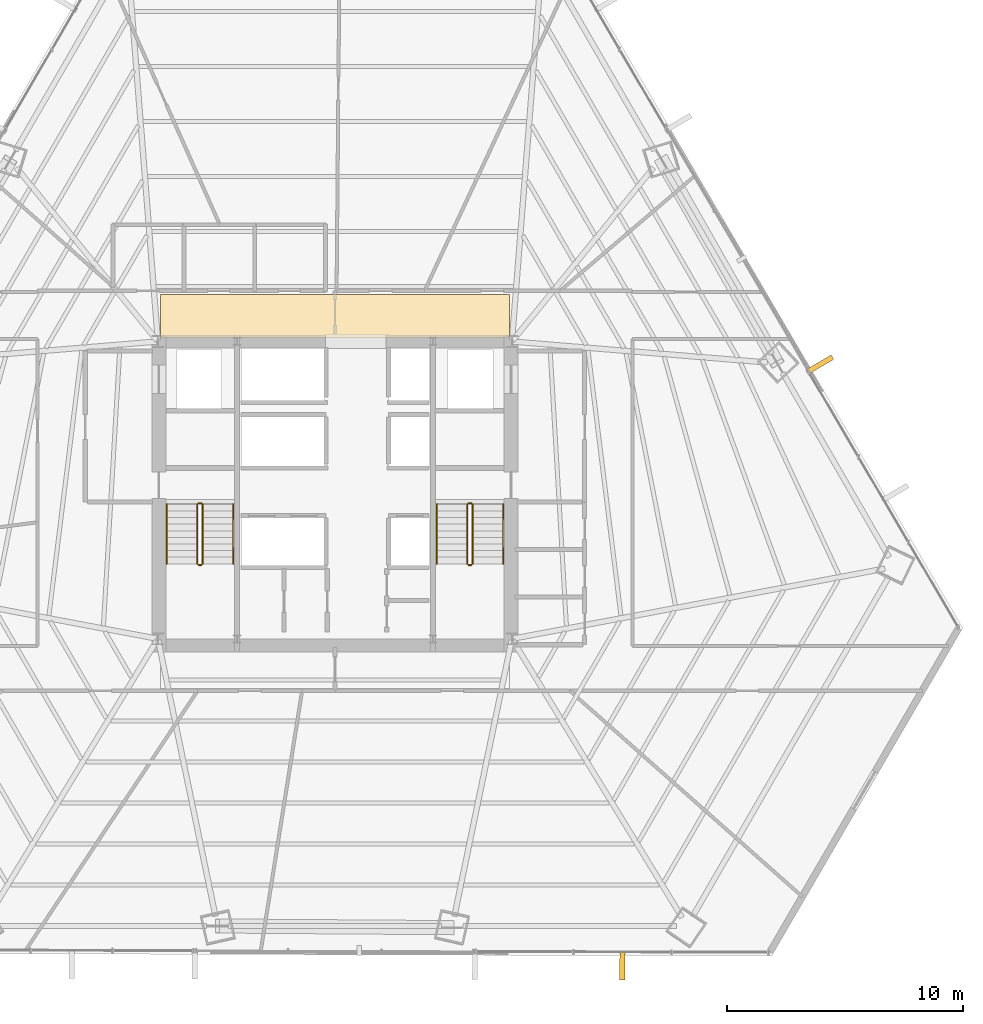
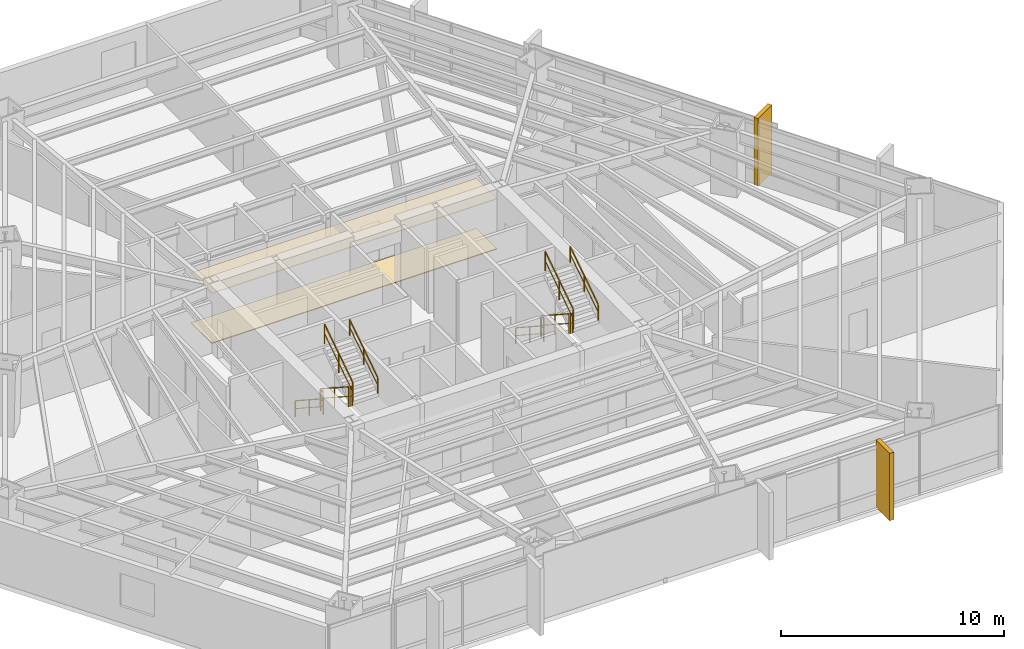
# One storey, part 36 of 37: 12 railings, 4 coverings.
"""IFC4 building model written with IfcOpenShell, lengths in metres."""

from ifc_helpers import new_model, si_unit, direction, frame, origin, origin_2d, place, context, subcontext, project, spatial, polyline, rectangle, outline, extrude, source, transform, mapped, material, layer, layer_set, type_object, type_shapes, element, save


model = new_model("IFC4")

# Units and contexts
model_context = context("Model", 3, precision=1e-05, world=origin(), true_north=direction((0.0, 1.0)))
body_context = subcontext(model_context, "Body", "Model", "MODEL_VIEW")
ifc_project = project(units=[si_unit("LENGTHUNIT", "METRE"), si_unit("AREAUNIT", "SQUARE_METRE"), si_unit("VOLUMEUNIT", "CUBIC_METRE"), si_unit("PLANEANGLEUNIT", "RADIAN"), si_unit("MASSUNIT", "GRAM", prefix="KILO")], contexts=[model_context])

# Site, building, storey
site_placement = place(None, origin())
site = spatial("IfcSite", under=ifc_project, at=site_placement, CompositionType="ELEMENT")
building_placement = place(site_placement, origin())
building = spatial("IfcBuilding", under=site, at=building_placement, Name="Caelisora Broadcast Tower", CompositionType="ELEMENT")
storey_placement = place(building_placement, frame((0.0, 0.0, 45.85009765625)))
storey = spatial("IfcBuildingStorey", under=building, at=storey_placement, Name="L11", CompositionType="ELEMENT", Elevation=45.85009765625)

# Coverings
ifc_material_1 = material(Name="Perforated Mineral-Fibre Acoustic Ceiling Tile", Category="gypsum")
ifc_layer_1 = layer(ifc_material_1, 0.034912109375, Name="Perforated Mineral-Fibre Acoustic Ceiling Tile")
ifc_layer_set_1 = layer_set([ifc_layer_1], Name="Perforated Mineral-Fibre Acoustic Ceiling Tile")
covering_type_1 = type_object("IfcCoveringType", Name="CE-1", PredefinedType="CEILING", material=ifc_layer_set_1)
covering_1_placement = place(storey_placement, frame((0.0, 0.0, 2.75)))
element("IfcCovering", 1, at=covering_1_placement, inside=storey, type_object=covering_type_1, Name="L11 acoustic corridor ceiling CE-1 (N)", PredefinedType="CEILING", context=body_context, shape_type="SweptSolid", body=[
    extrude(outline(polyline([(30.60009765625, 30.14990234375), (45.39990234375, 30.14990234375), (45.39990234375, 32.0), (30.60009765625, 32.0), (30.60009765625, 30.14990234375)])), origin(), (0.0, 0.0, 1.0), 0.034912109375),
])
ifc_material_2 = material(Name="Anti-Static Broadcast Raised Access Floor Panel", Category="steel")
ifc_layer_2 = layer(ifc_material_2, 0.044921875, Name="Anti-Static Broadcast Raised Access Floor Panel")
ifc_layer_set_2 = layer_set([ifc_layer_2], Name="Anti-Static Broadcast Raised Access Floor Panel")
covering_type_2 = type_object("IfcCoveringType", Name="FL-1", PredefinedType="FLOORING", material=ifc_layer_set_2)
covering_2_placement = place(storey_placement, origin())
element("IfcCovering", 2, at=covering_2_placement, inside=storey, type_object=covering_type_2, Name="L11 broadcast raised access floor FL-1 (N)", PredefinedType="FLOORING", context=body_context, shape_type="SweptSolid", body=[
    extrude(outline(polyline([(30.60009765625, 30.14990234375), (45.39990234375, 30.14990234375), (45.39990234375, 32.0), (30.60009765625, 32.0), (30.60009765625, 30.14990234375)])), origin(), (0.0, 0.0, 1.0), 0.044921875),
])

# Railings
ifc_material_3 = material(Name="Galvanised Steel Safety Guardrail", Category="steel")
ifc_layer_3 = layer(ifc_material_3, 0.048095703125, Name="Galvanised Steel Safety Guardrail")
ifc_layer_set_3 = layer_set([ifc_layer_3], Name="Galvanised Steel Safety Guardrail")
railing_type_1 = type_object("IfcRailingType", Name="GR-1", PredefinedType="GUARDRAIL", material=ifc_layer_set_3)
railing_1_placement = place(storey_placement, frame((32.169921875, 23.10009765625, 0.182373046875)))
element("IfcRailing", 3, at=railing_1_placement, inside=storey, type_object=railing_type_1, Name="L11 ST-1 stair guard 1", PredefinedType="GUARDRAIL", context=body_context, shape_type="SweptSolid", body=[
    extrude(rectangle(XDim=0.048095703125, YDim=0.048095703125, at=origin_2d()), frame((0.0, 0.0, 1.076171875), z_axis=(0.0, -0.837749427056, 0.546054848405), x_axis=(1.0, 0.0, 0.0)), (0.0, 0.0, 1.0), 3.008056640625),
    extrude(rectangle(XDim=0.03125, YDim=0.03125, at=origin_2d()), frame((0.0, 0.0, 0.550048828125), z_axis=(0.0, -0.837749427056, 0.546054848405), x_axis=(1.0, 0.0, 0.0)), (0.0, 0.0, 1.0), 3.008056640625),
    extrude(rectangle(XDim=0.0419921875, YDim=0.0419921875, at=origin_2d()), origin(), (0.0, 0.0, 1.0), 1.052001953125),
    extrude(rectangle(XDim=0.0419921875, YDim=0.0419921875, at=origin_2d()), frame((0.0, -1.260009765625, 0.8212890625)), (0.0, 0.0, 1.0), 1.052001953125),
    extrude(rectangle(XDim=0.0419921875, YDim=0.0419921875, at=origin_2d()), frame((0.0, -2.52001953125, 1.642578125)), (0.0, 0.0, 1.0), 1.052001953125),
])
railing_2_placement = place(storey_placement, frame((32.219970703125, 20.530029296875, 1.824951171875)))
element("IfcRailing", 4, at=railing_2_placement, inside=storey, type_object=railing_type_1, Name="L11 ST-1 stair guard 2", PredefinedType="GUARDRAIL", context=body_context, shape_type="SweptSolid", body=[
    extrude(rectangle(XDim=0.048095703125, YDim=0.048095703125, at=origin_2d()), frame((0.0, 0.0, 1.076171875), z_axis=(1.0, 0.0, 0.0), x_axis=(0.0, 1.0, 0.0)), (0.0, 0.0, 1.0), 0.1201171875),
    extrude(rectangle(XDim=0.03125, YDim=0.03125, at=origin_2d()), frame((0.0, 0.0, 0.550048828125), z_axis=(1.0, 0.0, 0.0), x_axis=(0.0, 1.0, 0.0)), (0.0, 0.0, 1.0), 0.1201171875),
    extrude(rectangle(XDim=0.0419921875, YDim=0.0419921875, at=origin_2d()), origin(), (0.0, 0.0, 1.0), 1.052001953125),
    extrude(rectangle(XDim=0.0419921875, YDim=0.0419921875, at=origin_2d()), frame((0.1201171875, 0.0, 0.0)), (0.0, 0.0, 1.0), 1.052001953125),
])
railing_3_placement = place(storey_placement, frame((32.389892578125, 20.580078125, 2.00732421875)))
element("IfcRailing", 5, at=railing_3_placement, inside=storey, type_object=railing_type_1, Name="L11 ST-1 stair guard 3", PredefinedType="GUARDRAIL", context=body_context, shape_type="SweptSolid", body=[
    extrude(rectangle(XDim=0.048095703125, YDim=0.048095703125, at=origin_2d()), frame((0.0, 0.0, 1.076171875), z_axis=(0.0, 0.837749427056, 0.546054848405), x_axis=(-1.0, 0.0, 0.0)), (0.0, 0.0, 1.0), 3.008056640625),
    extrude(rectangle(XDim=0.03125, YDim=0.03125, at=origin_2d()), frame((0.0, 0.0, 0.550048828125), z_axis=(0.0, 0.837749427056, 0.546054848405), x_axis=(-1.0, 0.0, 0.0)), (0.0, 0.0, 1.0), 3.008056640625),
    extrude(rectangle(XDim=0.0419921875, YDim=0.0419921875, at=origin_2d()), origin(), (0.0, 0.0, 1.0), 1.052001953125),
    extrude(rectangle(XDim=0.0419921875, YDim=0.0419921875, at=origin_2d()), frame((0.0, 1.260009765625, 0.8212890625)), (0.0, 0.0, 1.0), 1.052001953125),
    extrude(rectangle(XDim=0.0419921875, YDim=0.0419921875, at=origin_2d()), frame((0.0, 2.52001953125, 1.642578125)), (0.0, 0.0, 1.0), 1.052001953125),
])
railing_4_placement = place(storey_placement, frame((32.219970703125, 23.14990234375, 0.0)))
element("IfcRailing", 6, at=railing_4_placement, inside=storey, type_object=railing_type_1, Name="L11 ST-1 stair guard 4", PredefinedType="GUARDRAIL", context=body_context, shape_type="SweptSolid", body=[
    extrude(rectangle(XDim=0.048095703125, YDim=0.048095703125, at=origin_2d()), frame((0.0, 0.0, 1.076171875), z_axis=(1.0, 0.0, 0.0), x_axis=(0.0, 1.0, 0.0)), (0.0, 0.0, 1.0), 0.1201171875),
    extrude(rectangle(XDim=0.03125, YDim=0.03125, at=origin_2d()), frame((0.0, 0.0, 0.550048828125), z_axis=(1.0, 0.0, 0.0), x_axis=(0.0, 1.0, 0.0)), (0.0, 0.0, 1.0), 0.1201171875),
    extrude(rectangle(XDim=0.0419921875, YDim=0.0419921875, at=origin_2d()), origin(), (0.0, 0.0, 1.0), 1.052001953125),
    extrude(rectangle(XDim=0.0419921875, YDim=0.0419921875, at=origin_2d()), frame((0.1201171875, 0.0, 0.0)), (0.0, 0.0, 1.0), 1.052001953125),
])
railing_5_placement = place(storey_placement, frame((43.610107421875, 23.10009765625, 0.182373046875)))
element("IfcRailing", 7, at=railing_5_placement, inside=storey, type_object=railing_type_1, Name="L11 ST-2 stair guard 1", PredefinedType="GUARDRAIL", context=body_context, shape_type="SweptSolid", body=[
    extrude(rectangle(XDim=0.048095703125, YDim=0.048095703125, at=origin_2d()), frame((0.0, 0.0, 1.076171875), z_axis=(0.0, -0.837749427056, 0.546054848405), x_axis=(1.0, 0.0, 0.0)), (0.0, 0.0, 1.0), 3.008056640625),
    extrude(rectangle(XDim=0.03125, YDim=0.03125, at=origin_2d()), frame((0.0, 0.0, 0.550048828125), z_axis=(0.0, -0.837749427056, 0.546054848405), x_axis=(1.0, 0.0, 0.0)), (0.0, 0.0, 1.0), 3.008056640625),
    extrude(rectangle(XDim=0.0419921875, YDim=0.0419921875, at=origin_2d()), origin(), (0.0, 0.0, 1.0), 1.052001953125),
    extrude(rectangle(XDim=0.0419921875, YDim=0.0419921875, at=origin_2d()), frame((0.0, -1.260009765625, 0.8212890625)), (0.0, 0.0, 1.0), 1.052001953125),
    extrude(rectangle(XDim=0.0419921875, YDim=0.0419921875, at=origin_2d()), frame((0.0, -2.52001953125, 1.642578125)), (0.0, 0.0, 1.0), 1.052001953125),
])
railing_6_placement = place(storey_placement, frame((43.659912109375, 20.530029296875, 1.824951171875)))
element("IfcRailing", 8, at=railing_6_placement, inside=storey, type_object=railing_type_1, Name="L11 ST-2 stair guard 2", PredefinedType="GUARDRAIL", context=body_context, shape_type="SweptSolid", body=[
    extrude(rectangle(XDim=0.048095703125, YDim=0.048095703125, at=origin_2d()), frame((0.0, 0.0, 1.076171875), z_axis=(1.0, 0.0, 0.0), x_axis=(0.0, 1.0, 0.0)), (0.0, 0.0, 1.0), 0.1201171875),
    extrude(rectangle(XDim=0.03125, YDim=0.03125, at=origin_2d()), frame((0.0, 0.0, 0.550048828125), z_axis=(1.0, 0.0, 0.0), x_axis=(0.0, 1.0, 0.0)), (0.0, 0.0, 1.0), 0.1201171875),
    extrude(rectangle(XDim=0.0419921875, YDim=0.0419921875, at=origin_2d()), origin(), (0.0, 0.0, 1.0), 1.052001953125),
    extrude(rectangle(XDim=0.0419921875, YDim=0.0419921875, at=origin_2d()), frame((0.1201171875, 0.0, 0.0)), (0.0, 0.0, 1.0), 1.052001953125),
])
railing_7_placement = place(storey_placement, frame((43.830078125, 20.580078125, 2.00732421875)))
element("IfcRailing", 9, at=railing_7_placement, inside=storey, type_object=railing_type_1, Name="L11 ST-2 stair guard 3", PredefinedType="GUARDRAIL", context=body_context, shape_type="SweptSolid", body=[
    extrude(rectangle(XDim=0.048095703125, YDim=0.048095703125, at=origin_2d()), frame((0.0, 0.0, 1.076171875), z_axis=(0.0, 0.837749427056, 0.546054848405), x_axis=(-1.0, 0.0, 0.0)), (0.0, 0.0, 1.0), 3.008056640625),
    extrude(rectangle(XDim=0.03125, YDim=0.03125, at=origin_2d()), frame((0.0, 0.0, 0.550048828125), z_axis=(0.0, 0.837749427056, 0.546054848405), x_axis=(-1.0, 0.0, 0.0)), (0.0, 0.0, 1.0), 3.008056640625),
    extrude(rectangle(XDim=0.0419921875, YDim=0.0419921875, at=origin_2d()), origin(), (0.0, 0.0, 1.0), 1.052001953125),
    extrude(rectangle(XDim=0.0419921875, YDim=0.0419921875, at=origin_2d()), frame((0.0, 1.260009765625, 0.8212890625)), (0.0, 0.0, 1.0), 1.052001953125),
    extrude(rectangle(XDim=0.0419921875, YDim=0.0419921875, at=origin_2d()), frame((0.0, 2.52001953125, 1.642578125)), (0.0, 0.0, 1.0), 1.052001953125),
])
railing_8_placement = place(storey_placement, frame((43.659912109375, 23.14990234375, 0.0)))
element("IfcRailing", 10, at=railing_8_placement, inside=storey, type_object=railing_type_1, Name="L11 ST-2 stair guard 4", PredefinedType="GUARDRAIL", context=body_context, shape_type="SweptSolid", body=[
    extrude(rectangle(XDim=0.048095703125, YDim=0.048095703125, at=origin_2d()), frame((0.0, 0.0, 1.076171875), z_axis=(1.0, 0.0, 0.0), x_axis=(0.0, 1.0, 0.0)), (0.0, 0.0, 1.0), 0.1201171875),
    extrude(rectangle(XDim=0.03125, YDim=0.03125, at=origin_2d()), frame((0.0, 0.0, 0.550048828125), z_axis=(1.0, 0.0, 0.0), x_axis=(0.0, 1.0, 0.0)), (0.0, 0.0, 1.0), 0.1201171875),
    extrude(rectangle(XDim=0.0419921875, YDim=0.0419921875, at=origin_2d()), origin(), (0.0, 0.0, 1.0), 1.052001953125),
    extrude(rectangle(XDim=0.0419921875, YDim=0.0419921875, at=origin_2d()), frame((0.1201171875, 0.0, 0.0)), (0.0, 0.0, 1.0), 1.052001953125),
])
ifc_material_4 = material(Name="Stainless Steel Grade 316 Tubular Handrail", Category="steel")
ifc_layer_4 = layer(ifc_material_4, 0.048095703125, Name="Stainless Steel Grade 316 Tubular Handrail")
ifc_layer_set_4 = layer_set([ifc_layer_4], Name="Stainless Steel Grade 316 Tubular Handrail")
railing_type_2 = type_object("IfcRailingType", Name="HR-1", PredefinedType="HANDRAIL", material=ifc_layer_set_4)
railing_9_placement = place(storey_placement, frame((30.8701171875, 23.10009765625, 0.182373046875)))
element("IfcRailing", 11, at=railing_9_placement, inside=storey, type_object=railing_type_2, Name="L11 ST-1 stair handrail 1", PredefinedType="HANDRAIL", context=body_context, shape_type="SweptSolid", body=[
    extrude(rectangle(XDim=0.048095703125, YDim=0.048095703125, at=origin_2d()), frame((0.0, 0.0, 0.8759765625), z_axis=(0.0, -0.837749427056, 0.546054848405), x_axis=(1.0, 0.0, 0.0)), (0.0, 0.0, 1.0), 3.008056640625),
    extrude(rectangle(XDim=0.03125, YDim=0.03125, at=origin_2d()), frame((0.0, 0.0, 0.449951171875), z_axis=(0.0, -0.837749427056, 0.546054848405), x_axis=(1.0, 0.0, 0.0)), (0.0, 0.0, 1.0), 3.008056640625),
    extrude(rectangle(XDim=0.0419921875, YDim=0.0419921875, at=origin_2d()), origin(), (0.0, 0.0, 1.0), 0.851806640625),
    extrude(rectangle(XDim=0.0419921875, YDim=0.0419921875, at=origin_2d()), frame((0.0, -1.260009765625, 0.8212890625)), (0.0, 0.0, 1.0), 0.851806640625),
    extrude(rectangle(XDim=0.0419921875, YDim=0.0419921875, at=origin_2d()), frame((0.0, -2.52001953125, 1.642578125)), (0.0, 0.0, 1.0), 0.851806640625),
])
railing_10_placement = place(storey_placement, frame((33.68994140625, 20.580078125, 2.00732421875)))
element("IfcRailing", 12, at=railing_10_placement, inside=storey, type_object=railing_type_2, Name="L11 ST-1 stair handrail 2", PredefinedType="HANDRAIL", context=body_context, shape_type="SweptSolid", body=[
    extrude(rectangle(XDim=0.048095703125, YDim=0.048095703125, at=origin_2d()), frame((0.0, 0.0, 0.8759765625), z_axis=(0.0, 0.837749427056, 0.546054848405), x_axis=(-1.0, 0.0, 0.0)), (0.0, 0.0, 1.0), 3.008056640625),
    extrude(rectangle(XDim=0.03125, YDim=0.03125, at=origin_2d()), frame((0.0, 0.0, 0.449951171875), z_axis=(0.0, 0.837749427056, 0.546054848405), x_axis=(-1.0, 0.0, 0.0)), (0.0, 0.0, 1.0), 3.008056640625),
    extrude(rectangle(XDim=0.0419921875, YDim=0.0419921875, at=origin_2d()), origin(), (0.0, 0.0, 1.0), 0.851806640625),
    extrude(rectangle(XDim=0.0419921875, YDim=0.0419921875, at=origin_2d()), frame((0.0, 1.260009765625, 0.8212890625)), (0.0, 0.0, 1.0), 0.851806640625),
    extrude(rectangle(XDim=0.0419921875, YDim=0.0419921875, at=origin_2d()), frame((0.0, 2.52001953125, 1.642578125)), (0.0, 0.0, 1.0), 0.851806640625),
])
railing_11_placement = place(storey_placement, frame((42.31005859375, 23.10009765625, 0.182373046875)))
element("IfcRailing", 13, at=railing_11_placement, inside=storey, type_object=railing_type_2, Name="L11 ST-2 stair handrail 1", PredefinedType="HANDRAIL", context=body_context, shape_type="SweptSolid", body=[
    extrude(rectangle(XDim=0.048095703125, YDim=0.048095703125, at=origin_2d()), frame((0.0, 0.0, 0.8759765625), z_axis=(0.0, -0.837749427056, 0.546054848405), x_axis=(1.0, 0.0, 0.0)), (0.0, 0.0, 1.0), 3.008056640625),
    extrude(rectangle(XDim=0.03125, YDim=0.03125, at=origin_2d()), frame((0.0, 0.0, 0.449951171875), z_axis=(0.0, -0.837749427056, 0.546054848405), x_axis=(1.0, 0.0, 0.0)), (0.0, 0.0, 1.0), 3.008056640625),
    extrude(rectangle(XDim=0.0419921875, YDim=0.0419921875, at=origin_2d()), origin(), (0.0, 0.0, 1.0), 0.851806640625),
    extrude(rectangle(XDim=0.0419921875, YDim=0.0419921875, at=origin_2d()), frame((0.0, -1.260009765625, 0.8212890625)), (0.0, 0.0, 1.0), 0.851806640625),
    extrude(rectangle(XDim=0.0419921875, YDim=0.0419921875, at=origin_2d()), frame((0.0, -2.52001953125, 1.642578125)), (0.0, 0.0, 1.0), 0.851806640625),
])
railing_12_placement = place(storey_placement, frame((45.1298828125, 20.580078125, 2.00732421875)))
element("IfcRailing", 14, at=railing_12_placement, inside=storey, type_object=railing_type_2, Name="L11 ST-2 stair handrail 2", PredefinedType="HANDRAIL", context=body_context, shape_type="SweptSolid", body=[
    extrude(rectangle(XDim=0.048095703125, YDim=0.048095703125, at=origin_2d()), frame((0.0, 0.0, 0.8759765625), z_axis=(0.0, 0.837749427056, 0.546054848405), x_axis=(-1.0, 0.0, 0.0)), (0.0, 0.0, 1.0), 3.008056640625),
    extrude(rectangle(XDim=0.03125, YDim=0.03125, at=origin_2d()), frame((0.0, 0.0, 0.449951171875), z_axis=(0.0, 0.837749427056, 0.546054848405), x_axis=(-1.0, 0.0, 0.0)), (0.0, 0.0, 1.0), 3.008056640625),
    extrude(rectangle(XDim=0.0419921875, YDim=0.0419921875, at=origin_2d()), origin(), (0.0, 0.0, 1.0), 0.851806640625),
    extrude(rectangle(XDim=0.0419921875, YDim=0.0419921875, at=origin_2d()), frame((0.0, 1.260009765625, 0.8212890625)), (0.0, 0.0, 1.0), 0.851806640625),
    extrude(rectangle(XDim=0.0419921875, YDim=0.0419921875, at=origin_2d()), frame((0.0, 2.52001953125, 1.642578125)), (0.0, 0.0, 1.0), 0.851806640625),
])

# Coverings
ifc_material_5 = material(Name="Kiln-Fired Terracotta Spandrel Rainscreen Cladding", Category="ceramic")
ifc_layer_5 = layer(ifc_material_5, 0.044921875, Name="Kiln-Fired Terracotta Spandrel Rainscreen Cladding")
ifc_layer_set_5 = layer_set([ifc_layer_5], Name="Kiln-Fired Terracotta Spandrel Rainscreen Cladding")
covering_type_3 = type_object("IfcCoveringType", Name="CL-1", PredefinedType="CLADDING", material=ifc_layer_set_5)
shared_shape = source(origin(), body_context, "Body", "SweptSolid", [
    extrude(rectangle(XDim=0.219970703125, YDim=1.25, at=origin_2d()), origin(), (0.0, 0.0, 1.0), 3.68994140625),
])
type_shapes(covering_type_3, [shared_shape])
for number, where, z_axis, x_axis, name in (
    (15, (58.544189453125, 29.02001953125, -0.02001953125), (0.0, 0.0, 1.0), (0.505732659231, -0.862690255763, 0.0), "L11 vertical solar fin cladding #1-3"),
    (16, (50.17822265625, 3.5693359375, -0.02001953125), (0.0, 0.0, 1.0), (-0.9999961009, 0.002792523174, 0.0), "L11 vertical solar fin cladding #2-1"),
):
    element("IfcCovering", number, at=place(storey_placement, frame(where, z_axis=z_axis, x_axis=x_axis)), inside=storey, type_object=covering_type_3, Name=name, PredefinedType="CLADDING", context=body_context, shape_type="MappedRepresentation", body=[
        mapped(shared_shape, transform((0.0, 0.0, 0.0), scale=1.0)),
    ])

save(model, "model.ifc")
